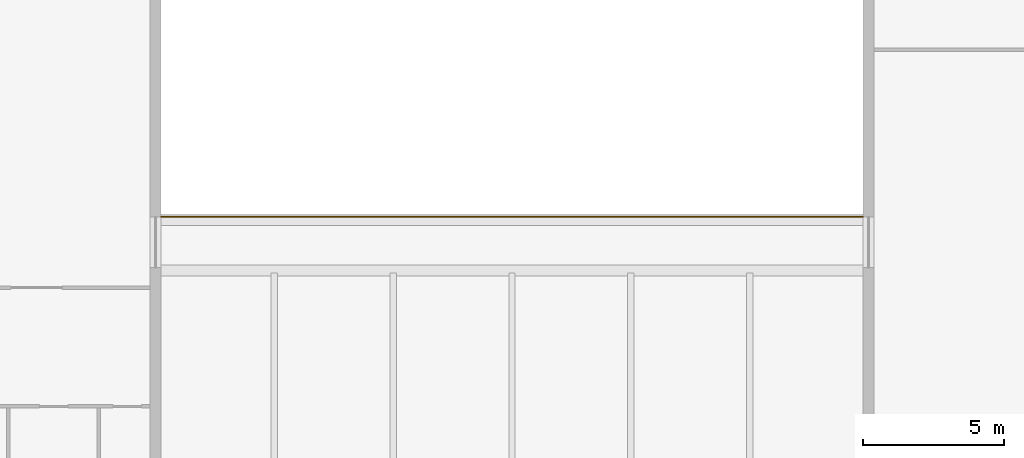
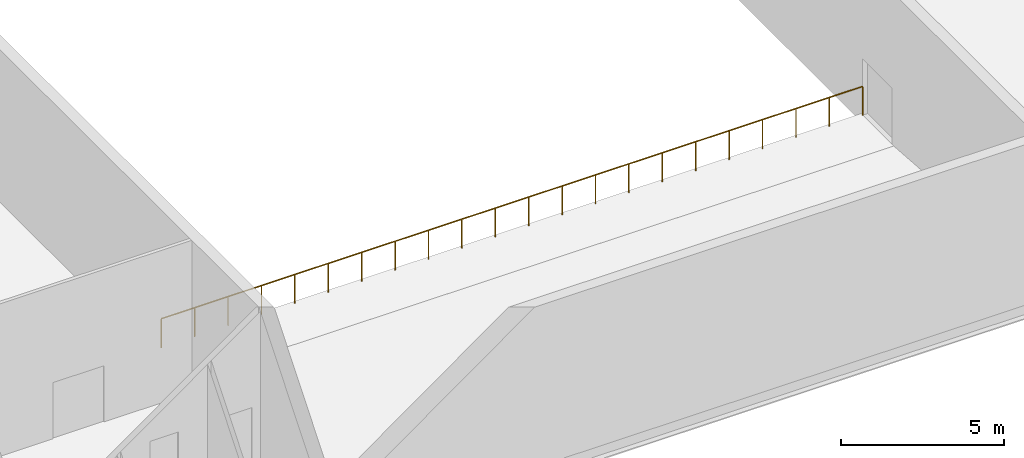
# One storey, part 47 of 49: 1 railing.
"""IFC4 building model written with IfcOpenShell, lengths in metres."""

import ifcopenshell
import ifcopenshell.guid

model = None  # the IFC model being written
_history = None  # IfcOwnerHistory: only IFC2X3 demands one
_inside = {}  # id of a spatial element -> (the spatial element, [elements in it])
_under = {}  # id of a project, library or spatial element -> (it, [spatial elements below it])
_declared = {}  # id of a project -> (the project, [libraries it declares])
_typed = {}  # id of a type object -> (the type object, [elements of that type])
_made_of = {}  # id of a material, layer set ... -> (it, [elements and type objects made of it])


def new_model(schema):
    """Start an empty IFC model of exactly this schema.

    Asked for "IFC4X3", IfcOpenShell would pick the latest addendum, in which some entities
    have other attributes; the version numbers below select the first issue.
    IFC2X3 requires an IfcOwnerHistory on every rooted entity: one is made here for all.
    """
    global model, _history
    if schema == "IFC4X3":
        model = ifcopenshell.file(schema_version=(4, 3, 0, 0))
    else:
        model = ifcopenshell.file(schema=schema)
    _inside.clear()
    _under.clear()
    _declared.clear()
    _typed.clear()
    _made_of.clear()
    _history = None
    if model.schema == "IFC2X3":
        org = make("IfcOrganization", Name="unknown")
        user = make(
            "IfcPersonAndOrganization",
            ThePerson=make("IfcPerson", FamilyName="unknown"),
            TheOrganization=org,
        )
        app = make(
            "IfcApplication",
            ApplicationDeveloper=org,
            Version="unknown",
            ApplicationFullName="unknown",
            ApplicationIdentifier="unknown",
        )
        _history = make(
            "IfcOwnerHistory",
            OwningUser=user,
            OwningApplication=app,
            ChangeAction="ADDED",
            CreationDate=0,
        )
    return model


def make(cls, **values):
    """One entity of the class cls with the attributes given. An attribute that is None is left unset."""
    return model.create_entity(
        cls, **{name: value for name, value in values.items() if value is not None}
    )


def rooted(cls, **values):
    """An entity with a GlobalId (a new one), such as an element, a storey or a relation."""
    return make(cls, GlobalId=ifcopenshell.guid.new(), OwnerHistory=_history, **values)


def si_unit(unit_type, name, prefix=None):
    """IfcSIUnit, for example si_unit("LENGTHUNIT", "METRE", prefix="MILLI")."""
    return make("IfcSIUnit", UnitType=unit_type, Prefix=prefix, Name=name)


def assignment(units):
    """IfcUnitAssignment: the units of a project."""
    return None if units is None else make("IfcUnitAssignment", Units=units)


def point(xyz):
    """IfcCartesianPoint."""
    return None if xyz is None else make("IfcCartesianPoint", Coordinates=xyz)


def direction(xyz):
    """IfcDirection."""
    return None if xyz is None else make("IfcDirection", DirectionRatios=xyz)


def frame(location, z_axis=None, x_axis=None):
    """IfcAxis2Placement3D, a coordinate frame: its origin and axes. An axis left out is left unset."""
    return make(
        "IfcAxis2Placement3D",
        Location=point(location),
        Axis=direction(z_axis),
        RefDirection=direction(x_axis),
    )


def frame_2d(location, x_axis=None):
    """IfcAxis2Placement2D, a coordinate frame in the plane: its origin and x axis."""
    return make(
        "IfcAxis2Placement2D", Location=point(location), RefDirection=direction(x_axis)
    )


def origin():
    """The frame at (0, 0, 0) with its axes left unset."""
    return frame((0.0, 0.0, 0.0))


def origin_2d():
    """The frame at (0, 0) in the plane with its x axis left unset."""
    return frame_2d((0.0, 0.0))


def place(relative_to, where):
    """IfcLocalPlacement: puts the frame where relative to a parent placement (None: the world)."""
    return make(
        "IfcLocalPlacement", PlacementRelTo=relative_to, RelativePlacement=where
    )


def context(
    kind, dimensions, precision=None, world=None, true_north=None, identifier=None
):
    """IfcGeometricRepresentationContext, for example the 3D "Model" context."""
    return make(
        "IfcGeometricRepresentationContext",
        ContextIdentifier=identifier,
        ContextType=kind,
        CoordinateSpaceDimension=dimensions,
        Precision=precision,
        WorldCoordinateSystem=world,
        TrueNorth=true_north,
    )


def subcontext(parent, identifier, kind, view, scale=None):
    """IfcGeometricRepresentationSubContext, for example "Body" below "Model"."""
    return make(
        "IfcGeometricRepresentationSubContext",
        ContextIdentifier=identifier,
        ContextType=kind,
        ParentContext=parent,
        TargetScale=scale,
        TargetView=view,
    )


def project(units=None, contexts=None):
    """IfcProject with its units and contexts."""
    return rooted(
        "IfcProject",
        Name="project",
        RepresentationContexts=contexts,
        UnitsInContext=assignment(units),
    )


def spatial(cls, under=None, at=None, **own):
    """A site, building, storey or space (cls), placed at a placement, below another one or the project."""
    s = rooted(cls, ObjectPlacement=at, **own)
    if under is not None:
        _under.setdefault(under.id(), (under, []))[1].append(s)
    return s


def profile(cls, at=None, kind="AREA", **sizes):
    """A parametric profile (cls). Its sizes go by their IFC names, for example OverallWidth=200.0."""
    return make(cls, ProfileType=kind, Position=at, **sizes)


def circle(**sizes):
    """IfcCircleProfileDef."""
    return profile("IfcCircleProfileDef", **sizes)


def extrude(swept, where, along, depth):
    """IfcExtrudedAreaSolid: the profile swept, set in the frame where, extruded along a direction by depth."""
    return make(
        "IfcExtrudedAreaSolid",
        SweptArea=swept,
        Position=where,
        ExtrudedDirection=direction(along),
        Depth=depth,
    )


def shape(context_of_items, identifier, shape_type, items):
    """IfcShapeRepresentation: the items that make up one representation, for example the "Body"."""
    return make(
        "IfcShapeRepresentation",
        ContextOfItems=context_of_items,
        RepresentationIdentifier=identifier,
        RepresentationType=shape_type,
        Items=items,
    )


def material(Name=None, Category=None):
    """IfcMaterial."""
    return make("IfcMaterial", Name=Name, Category=Category)


def made_of(thing, what):
    """Note that an element or type object is made of a material, layer set ...; save() writes the relation."""
    if what is not None:
        _made_of.setdefault(what.id(), (what, []))[1].append(thing)
    return thing


def type_object(cls, material=None, **own):
    """A type object (cls), such as IfcWallType, which elements share."""
    return made_of(rooted(cls, **own), material)


def element(
    cls,
    number,
    at=None,
    inside=None,
    cuts=None,
    type_object=None,
    material=None,
    context=None,
    identifier="Body",
    shape_type=None,
    held_by="IfcProductDefinitionShape",
    body=None,
    shapes=None,
    **own,
):
    """One element of the class cls, such as IfcWall. Its Tag is "e" and its number.

    at: its placement. inside: the storey or other place that contains it. cuts: it is an
    opening in that element (IfcRelVoidsElement). A single representation is given by context,
    identifier, shape_type and body (its items); several are given by shapes. held_by: the class
    of the entity that holds the representations. save() writes the other relations.
    """
    e = rooted(cls, Tag="e%d" % number, ObjectPlacement=at, **own)
    if body is not None:
        shapes = [shape(context, identifier, shape_type, body)]
    if shapes is not None:
        e.Representation = make(held_by, Representations=shapes)
    if inside is not None:
        _inside.setdefault(inside.id(), (inside, []))[1].append(e)
    if cuts is not None:
        rooted(
            "IfcRelVoidsElement", RelatingBuildingElement=cuts, RelatedOpeningElement=e
        )
    if type_object is not None:
        _typed.setdefault(type_object.id(), (type_object, []))[1].append(e)
    return made_of(e, material)


def aggregate(whole, parts):
    """IfcRelAggregates: a whole, such as a stair, and the parts it consists of."""
    return rooted("IfcRelAggregates", RelatingObject=whole, RelatedObjects=parts)


def save(model, path):
    """Write the relations noted so far, then the file.

    IfcRelAggregates (storeys below a building ...), IfcRelContainedInSpatialStructure (elements
    in a storey), IfcRelDefinesByType, IfcRelAssociatesMaterial and IfcRelDeclares: one each for
    every whole, place, type object, material and project.
    """
    for whole, parts in _under.values():
        aggregate(whole, parts)
    for where, things in _inside.values():
        rooted(
            "IfcRelContainedInSpatialStructure",
            RelatedElements=things,
            RelatingStructure=where,
        )
    for kind, things in _typed.values():
        rooted("IfcRelDefinesByType", RelatedObjects=things, RelatingType=kind)
    for what, things in _made_of.values():
        rooted("IfcRelAssociatesMaterial", RelatedObjects=things, RelatingMaterial=what)
    for by, libraries in _declared.values():
        rooted("IfcRelDeclares", RelatingContext=by, RelatedDefinitions=libraries)
    model.write(path)


model = new_model("IFC4")

# Units and contexts
model_context = context("Model", 3, precision=1e-05, world=origin(), true_north=direction((0.0, 1.0)))
body_context = subcontext(model_context, "Body", "Model", "MODEL_VIEW")
ifc_project = project(units=[si_unit("LENGTHUNIT", "METRE"), si_unit("AREAUNIT", "SQUARE_METRE"), si_unit("VOLUMEUNIT", "CUBIC_METRE"), si_unit("PLANEANGLEUNIT", "RADIAN"), si_unit("MASSUNIT", "GRAM", prefix="KILO")], contexts=[model_context])

# Site, building, storey
site_placement = place(None, origin())
site = spatial("IfcSite", under=ifc_project, at=site_placement, CompositionType="ELEMENT")
building_placement = place(site_placement, origin())
building = spatial("IfcBuilding", under=site, at=building_placement, Name="Candeia Pilgrim Tower and Theatre", CompositionType="ELEMENT")
storey_placement = place(building_placement, frame((0.0, 0.0, 17.0)))
storey = spatial("IfcBuildingStorey", under=building, at=storey_placement, Name="L02", CompositionType="ELEMENT", Elevation=17.0)

# Railing
ifc_material = material(Name="Steel S355", Category="steel")
railing_type = type_object("IfcRailingType", Name="Guard 1100 steel balustrade", PredefinedType="GUARDRAIL", material=ifc_material)
railing_placement = place(storey_placement, frame((193.0, 76.89990234375, 0.0)))
element("IfcRailing", 1, at=railing_placement, inside=storey, type_object=railing_type, Name="Circle 2 front guard", PredefinedType="GUARDRAIL", context=body_context, shape_type="SweptSolid", body=[
    extrude(circle(Radius=0.02392578125, at=origin_2d()), frame((0.0, 0.0, 1.076171875), z_axis=(1.0, 0.0, 0.0), x_axis=(0.0, 1.0, 0.0)), (0.0, 0.0, 1.0), 24.800048828125),
    extrude(circle(Radius=0.02099609375, at=origin_2d()), origin(), (0.0, 0.0, 1.0), 1.052001953125),
    extrude(circle(Radius=0.02099609375, at=origin_2d()), frame((1.180908203125, 0.0, 0.0)), (0.0, 0.0, 1.0), 1.052001953125),
    extrude(circle(Radius=0.02099609375, at=origin_2d()), frame((2.36181640625, 0.0, 0.0)), (0.0, 0.0, 1.0), 1.052001953125),
    extrude(circle(Radius=0.02099609375, at=origin_2d()), frame((3.54296875, 0.0, 0.0)), (0.0, 0.0, 1.0), 1.052001953125),
    extrude(circle(Radius=0.02099609375, at=origin_2d()), frame((4.723876953125, 0.0, 0.0)), (0.0, 0.0, 1.0), 1.052001953125),
    extrude(circle(Radius=0.02099609375, at=origin_2d()), frame((5.90478515625, 0.0, 0.0)), (0.0, 0.0, 1.0), 1.052001953125),
    extrude(circle(Radius=0.02099609375, at=origin_2d()), frame((7.085693359375, 0.0, 0.0)), (0.0, 0.0, 1.0), 1.052001953125),
    extrude(circle(Radius=0.02099609375, at=origin_2d()), frame((8.2666015625, 0.0, 0.0)), (0.0, 0.0, 1.0), 1.052001953125),
    extrude(circle(Radius=0.02099609375, at=origin_2d()), frame((9.44775390625, 0.0, 0.0)), (0.0, 0.0, 1.0), 1.052001953125),
    extrude(circle(Radius=0.02099609375, at=origin_2d()), frame((10.628662109375, 0.0, 0.0)), (0.0, 0.0, 1.0), 1.052001953125),
    extrude(circle(Radius=0.02099609375, at=origin_2d()), frame((11.8095703125, 0.0, 0.0)), (0.0, 0.0, 1.0), 1.052001953125),
    extrude(circle(Radius=0.02099609375, at=origin_2d()), frame((12.990478515625, 0.0, 0.0)), (0.0, 0.0, 1.0), 1.052001953125),
    extrude(circle(Radius=0.02099609375, at=origin_2d()), frame((14.17138671875, 0.0, 0.0)), (0.0, 0.0, 1.0), 1.052001953125),
    extrude(circle(Radius=0.02099609375, at=origin_2d()), frame((15.352294921875, 0.0, 0.0)), (0.0, 0.0, 1.0), 1.052001953125),
    extrude(circle(Radius=0.02099609375, at=origin_2d()), frame((16.533447265625, 0.0, 0.0)), (0.0, 0.0, 1.0), 1.052001953125),
    extrude(circle(Radius=0.02099609375, at=origin_2d()), frame((17.71435546875, 0.0, 0.0)), (0.0, 0.0, 1.0), 1.052001953125),
    extrude(circle(Radius=0.02099609375, at=origin_2d()), frame((18.895263671875, 0.0, 0.0)), (0.0, 0.0, 1.0), 1.052001953125),
    extrude(circle(Radius=0.02099609375, at=origin_2d()), frame((20.076171875, 0.0, 0.0)), (0.0, 0.0, 1.0), 1.052001953125),
    extrude(circle(Radius=0.02099609375, at=origin_2d()), frame((21.257080078125, 0.0, 0.0)), (0.0, 0.0, 1.0), 1.052001953125),
    extrude(circle(Radius=0.02099609375, at=origin_2d()), frame((22.438232421875, 0.0, 0.0)), (0.0, 0.0, 1.0), 1.052001953125),
    extrude(circle(Radius=0.02099609375, at=origin_2d()), frame((23.619140625, 0.0, 0.0)), (0.0, 0.0, 1.0), 1.052001953125),
    extrude(circle(Radius=0.02099609375, at=origin_2d()), frame((24.800048828125, 0.0, 0.0)), (0.0, 0.0, 1.0), 1.052001953125),
])

save(model, "model.ifc")
